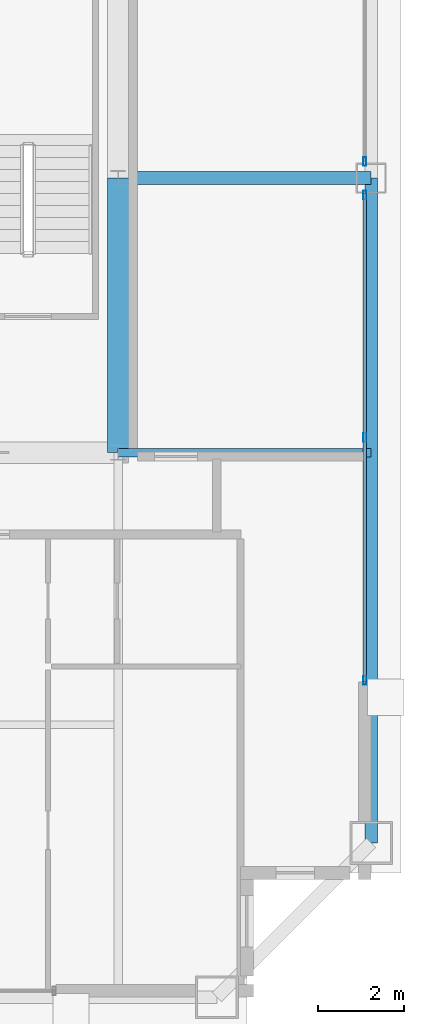
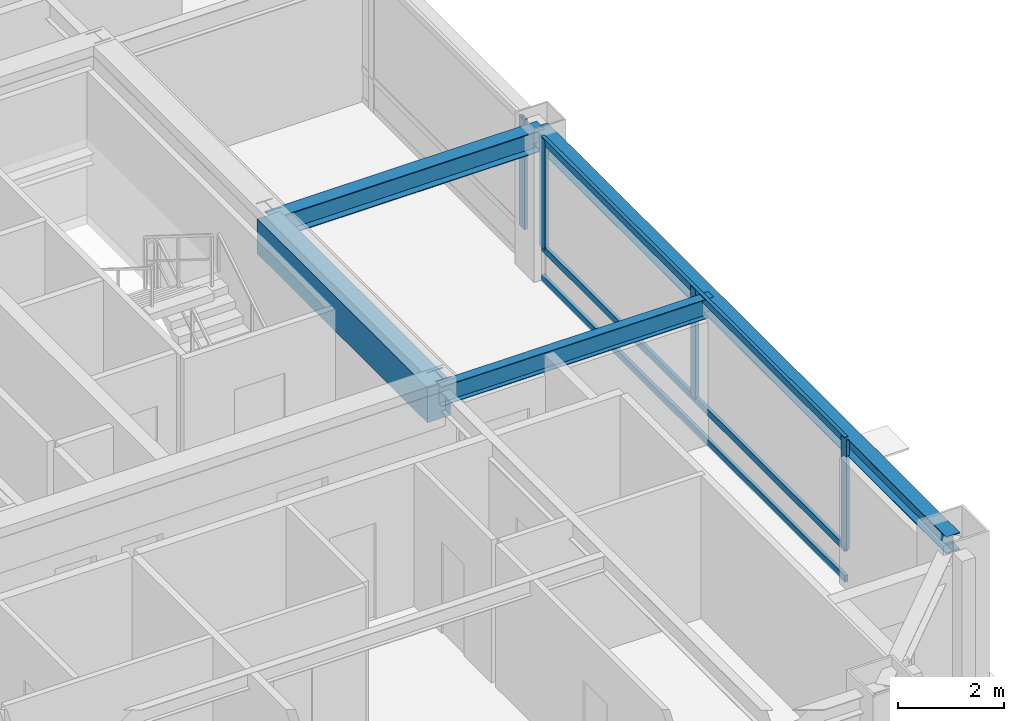
# One storey, part 14 of 35: 7 members, 4 beams, 2 elements without a shape of their own.
"""IFC4 building model written with IfcOpenShell, lengths in metres."""

from ifc_helpers import new_model, si_unit, direction, frame, origin, origin_2d, place, context, subcontext, project, spatial, rectangle, hollow_rectangle, i_section, extrude, source, transform, mapped, material, layer, layer_set, material_profile, profile_set, type_object, element, aggregate, save


model = new_model("IFC4")

# Units and contexts
model_context = context("Model", 3, precision=1e-05, world=origin(), true_north=direction((0.0, 1.0)))
body_context = subcontext(model_context, "Body", "Model", "MODEL_VIEW")
ifc_project = project(units=[si_unit("LENGTHUNIT", "METRE"), si_unit("AREAUNIT", "SQUARE_METRE"), si_unit("VOLUMEUNIT", "CUBIC_METRE"), si_unit("PLANEANGLEUNIT", "RADIAN"), si_unit("MASSUNIT", "GRAM", prefix="KILO"), si_unit("THERMODYNAMICTEMPERATUREUNIT", "KELVIN"), si_unit("POWERUNIT", "WATT")], contexts=[model_context])

# Site, building, storey
site_placement = place(None, origin())
site = spatial("IfcSite", under=ifc_project, at=site_placement, CompositionType="ELEMENT")
building_placement = place(site_placement, origin())
building = spatial("IfcBuilding", under=site, at=building_placement, Name="Yuzanri Waterfront Tower", CompositionType="ELEMENT")
storey_placement = place(building_placement, frame((0.0, 0.0, 289.10009765625)))
storey = spatial("IfcBuildingStorey", under=building, at=storey_placement, Name="L77", CompositionType="ELEMENT", Elevation=289.10009765625)

# Beams
ifc_material_1 = material(Name="Concrete C50", Category="concrete")
ifc_material_profile_1 = material_profile(ifc_material_1, rectangle(XDim=0.5, YDim=0.800048828125, at=origin_2d()), Name="RC 500x800")
ifc_profile_set_1 = profile_set([ifc_material_profile_1], Name="Concrete C50")
beam_type_1 = type_object("IfcBeamType", Name="Core Coupling Lintel Concrete C50 500x800", PredefinedType="LINTEL", material=ifc_profile_set_1)
shared_shape_1 = source(origin(), body_context, "Body", "SweptSolid", [
    extrude(rectangle(XDim=0.5, YDim=0.800048828125, at=origin_2d()), origin(), (0.0, 0.0, 1.0), 6.400146484375),
])
beam_1_placement = place(storey_placement, frame((50.199951171875, 19.39990234375, 2.8798828125), z_axis=(0.0, 1.0, 0.0), x_axis=(-1.0, 0.0, 0.0)))
element("IfcBeam", 1, at=beam_1_placement, inside=storey, type_object=beam_type_1, Name="L77 Core Tie Beam CE1", PredefinedType="LINTEL", context=body_context, shape_type="MappedRepresentation", body=[
    mapped(shared_shape_1, transform((0.0, 0.0, 0.0), scale=1.0)),
])
ifc_material_2 = material(Name="Steel Q355B", Category="steel")
ifc_material_profile_2 = material_profile(ifc_material_2, i_section(OverallWidth=0.300048828125, OverallDepth=0.389892578125, WebThickness=0.010009765625, FlangeThickness=0.01611328125, at=origin_2d()), Name="HM 390x300x10x16")
ifc_profile_set_2 = profile_set([ifc_material_profile_2], Name="Steel Q355B")
beam_type_2 = type_object("IfcBeamType", Name="Perimeter Spandrel Q355B HM 390x300", PredefinedType="SPANDREL", material=ifc_profile_set_2)
shared_shape_2 = source(origin(), body_context, "Body", "SweptSolid", [
    extrude(i_section(OverallWidth=0.300048828125, OverallDepth=0.389892578125, WebThickness=0.010009765625, FlangeThickness=0.01611328125, at=origin_2d()), origin(), (0.0, 0.0, 1.0), 15.5),
])
beam_2_placement = place(storey_placement, frame((56.10009765625, 10.300048828125, 3.0849609375), z_axis=(0.0, 1.0, 0.0), x_axis=(-1.0, 0.0, 0.0)))
element("IfcBeam", 2, at=beam_2_placement, inside=storey, type_object=beam_type_2, Name="L77 Perimeter Spandrel E1-E2", PredefinedType="SPANDREL", context=body_context, shape_type="MappedRepresentation", body=[
    mapped(shared_shape_2, transform((0.0, 0.0, 0.0), scale=1.0)),
])
ifc_material_3 = material(Name="Steel Q355B", Category="steel")
ifc_material_profile_3 = material_profile(ifc_material_3, i_section(OverallWidth=0.300048828125, OverallDepth=0.488037109375, WebThickness=0.010986328125, FlangeThickness=0.01806640625, at=origin_2d()), Name="HM 488x300x11x18")
ifc_profile_set_3 = profile_set([ifc_material_profile_3], Name="Steel Q355B")
beam_type_3 = type_object("IfcBeamType", Name="Primary Floor Girder Q355B HM 488x300", PredefinedType="BEAM", material=ifc_profile_set_3)
shared_shape_3 = source(origin(), body_context, "Body", "SweptSolid", [
    extrude(i_section(OverallWidth=0.300048828125, OverallDepth=0.488037109375, WebThickness=0.010986328125, FlangeThickness=0.01806640625, at=origin_2d()), origin(), (0.0, 0.0, 1.0), 5.900146484375),
])
beam_3_placement = place(storey_placement, frame((50.199951171875, 25.800048828125, 3.035888671875), z_axis=(1.0, 0.0, 0.0), x_axis=(0.0, 1.0, 0.0)))
element("IfcBeam", 3, at=beam_3_placement, inside=storey, type_object=beam_type_3, Name="L77 East Grid Girder", PredefinedType="BEAM", context=body_context, shape_type="MappedRepresentation", body=[
    mapped(shared_shape_3, transform((0.0, 0.0, 0.0), scale=1.0)),
])
ifc_material_4 = material(Name="Steel Q355B", Category="steel")
ifc_material_profile_4 = material_profile(ifc_material_4, i_section(OverallWidth=0.199951171875, OverallDepth=0.449951171875, WebThickness=0.009033203125, FlangeThickness=0.013916015625, at=origin_2d()), Name="HN 450x200x9x14")
ifc_profile_set_4 = profile_set([ifc_material_profile_4], Name="Steel Q355B")
beam_type_4 = type_object("IfcBeamType", Name="Secondary Floor Beam Q355B HN 450x200", PredefinedType="BEAM", material=ifc_profile_set_4)
shared_shape_4 = source(origin(), body_context, "Body", "SweptSolid", [
    extrude(i_section(OverallWidth=0.199951171875, OverallDepth=0.449951171875, WebThickness=0.009033203125, FlangeThickness=0.013916015625, at=origin_2d()), origin(), (0.0, 0.0, 1.0), 5.900146484375),
])
beam_4_placement = place(storey_placement, frame((50.199951171875, 19.39990234375, 3.054931640625), z_axis=(1.0, 0.0, 0.0), x_axis=(0.0, 1.0, 0.0)))
element("IfcBeam", 4, at=beam_4_placement, inside=storey, type_object=beam_type_4, Name="L77 East-South Core Line Beam", PredefinedType="BEAM", context=body_context, shape_type="MappedRepresentation", body=[
    mapped(shared_shape_4, transform((0.0, 0.0, 0.0), scale=1.0)),
])

# Curtain wall, members
ifc_material_5 = material(Name="Anodized Architectural Bronze", Category="metal")
ifc_layer = layer(ifc_material_5, 0.159912109375)
ifc_layer_set = layer_set([ifc_layer], Name="Anodized Architectural Bronze")
curtain_wall_type = type_object("IfcCurtainWallType", Name="Anodized Bronze High-Rise Penthouse High-Wind Unitized Curtain Wall 6900", PredefinedType="NOTDEFINED", material=ifc_layer_set)
curtain_wall_1_placement = place(storey_placement, origin())
curtain_wall_1 = element("IfcCurtainWall", 5, at=curtain_wall_1_placement, inside=storey, type_object=curtain_wall_type, Name="L77 Curtain Wall CW-L77-EL", PredefinedType="NOTDEFINED")
ifc_material_6 = material(Name="Anodized Architectural Bronze", Category="metal")
ifc_material_profile_5 = material_profile(ifc_material_6, hollow_rectangle(XDim=0.074951171875, YDim=0.199951171875, WallThickness=0.00390625, at=origin_2d()), Name="CWM 75x200")
ifc_profile_set_5 = profile_set([ifc_material_profile_5], Name="Anodized Architectural Bronze")
member_type_1 = type_object("IfcMemberType", Name="Anodized Bronze Primary Curtain-Wall Mullion 75x200", PredefinedType="MULLION", material=ifc_profile_set_5)
shared_shape_5 = source(origin(), body_context, "Body", "SweptSolid", [
    extrude(hollow_rectangle(XDim=0.074951171875, YDim=0.199951171875, WallThickness=0.00390625, at=origin_2d()), origin(), (0.0, 0.0, 1.0), 2.52392578125),
])
member_1_placement = place(storey_placement, frame((55.949951171875, 14.090087890625, 0.755859375), z_axis=(0.0, 0.0, 1.0), x_axis=(1.0, 0.0, 0.0)))
member_1 = element("IfcMember", 6, at=member_1_placement, type_object=member_type_1, Name="CW-L77-EL Upper Mullion 00", PredefinedType="MULLION", context=body_context, shape_type="MappedRepresentation", body=[
    mapped(shared_shape_5, transform((0.0, 0.0, 0.0), scale=1.0)),
])
member_2_placement = place(storey_placement, frame((55.949951171875, 19.75, 0.755859375), z_axis=(0.0, 0.0, 1.0), x_axis=(1.0, 0.0, 0.0)))
member_2 = element("IfcMember", 7, at=member_2_placement, type_object=member_type_1, Name="CW-L77-EL Upper Mullion 01", PredefinedType="MULLION", context=body_context, shape_type="MappedRepresentation", body=[
    mapped(shared_shape_5, transform((0.0, 0.0, 0.0), scale=1.0)),
])
member_3_placement = place(storey_placement, frame((55.949951171875, 25.409912109375, 0.755859375), z_axis=(0.0, 0.0, 1.0), x_axis=(1.0, 0.0, 0.0)))
member_3 = element("IfcMember", 8, at=member_3_placement, type_object=member_type_1, Name="CW-L77-EL Upper Mullion 02", PredefinedType="MULLION", context=body_context, shape_type="MappedRepresentation", body=[
    mapped(shared_shape_5, transform((0.0, 0.0, 0.0), scale=1.0)),
])

# Curtain wall, member
curtain_wall_2_placement = place(storey_placement, origin())
curtain_wall_2 = element("IfcCurtainWall", 9, at=curtain_wall_2_placement, inside=storey, type_object=curtain_wall_type, Name="L77 Curtain Wall CW-L77-ER", PredefinedType="NOTDEFINED")
member_4_placement = place(storey_placement, frame((55.949951171875, 26.18994140625, 0.755859375), z_axis=(0.0, 0.0, 1.0), x_axis=(1.0, 0.0, 0.0)))
member_4 = element("IfcMember", 10, at=member_4_placement, type_object=member_type_1, Name="CW-L77-ER Upper Mullion 00", PredefinedType="MULLION", context=body_context, shape_type="MappedRepresentation", body=[
    mapped(shared_shape_5, transform((0.0, 0.0, 0.0), scale=1.0)),
])
aggregate(curtain_wall_2, [member_4])

# Member
ifc_material_7 = material(Name="Anodized Architectural Bronze", Category="metal")
ifc_material_profile_6 = material_profile(ifc_material_7, hollow_rectangle(XDim=0.074951171875, YDim=0.14990234375, WallThickness=0.00390625, at=origin_2d()), Name="CWT 75x150")
ifc_profile_set_6 = profile_set([ifc_material_profile_6], Name="Anodized Architectural Bronze")
member_type_2 = type_object("IfcMemberType", Name="Anodized Bronze Primary Curtain-Wall Transom 75x150", PredefinedType="USERDEFINED", material=ifc_profile_set_6)
shared_shape_6 = source(origin(), body_context, "Body", "SweptSolid", [
    extrude(hollow_rectangle(XDim=0.074951171875, YDim=0.14990234375, WallThickness=0.00390625, at=origin_2d()), origin(), (0.0, 0.0, 1.0), 11.39990234375),
])
member_5_placement = place(storey_placement, frame((55.949951171875, 14.050048828125, 0.0498046875), z_axis=(0.0, 1.0, 0.0), x_axis=(-1.0, 0.0, 0.0)))
member_5 = element("IfcMember", 11, at=member_5_placement, type_object=member_type_2, Name="CW-L77-EL Transom 1", ObjectType="TRANSOM", PredefinedType="USERDEFINED", context=body_context, shape_type="MappedRepresentation", body=[
    mapped(shared_shape_6, transform((0.0, 0.0, 0.0), scale=1.0)),
])

member_6_placement = place(storey_placement, frame((55.949951171875, 14.050048828125, 0.75390625), z_axis=(0.0, 1.0, 0.0), x_axis=(-1.0, 0.0, 0.0)))
member_6 = element("IfcMember", 12, at=member_6_placement, type_object=member_type_2, Name="CW-L77-EL Transom 2", ObjectType="TRANSOM", PredefinedType="USERDEFINED", context=body_context, shape_type="MappedRepresentation", body=[
    mapped(shared_shape_6, transform((0.0, 0.0, 0.0), scale=1.0)),
])

member_7_placement = place(storey_placement, frame((55.949951171875, 14.050048828125, 3.22998046875), z_axis=(0.0, 1.0, 0.0), x_axis=(-1.0, 0.0, 0.0)))
member_7 = element("IfcMember", 13, at=member_7_placement, type_object=member_type_2, Name="CW-L77-EL Transom 3", ObjectType="TRANSOM", PredefinedType="USERDEFINED", context=body_context, shape_type="MappedRepresentation", body=[
    mapped(shared_shape_6, transform((0.0, 0.0, 0.0), scale=1.0)),
])

aggregate(curtain_wall_1, [member_1, member_2, member_3, member_5, member_6, member_7])

save(model, "model.ifc")
